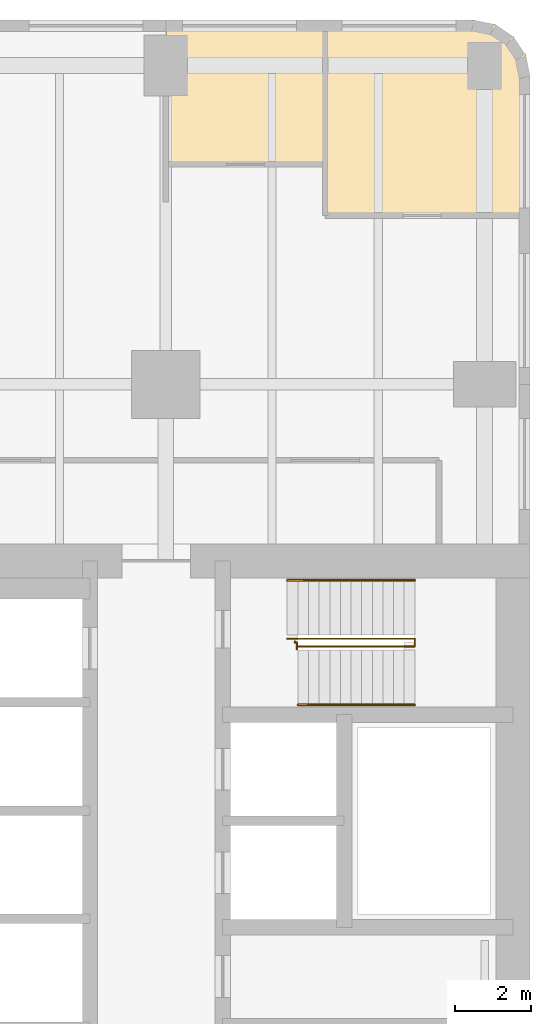
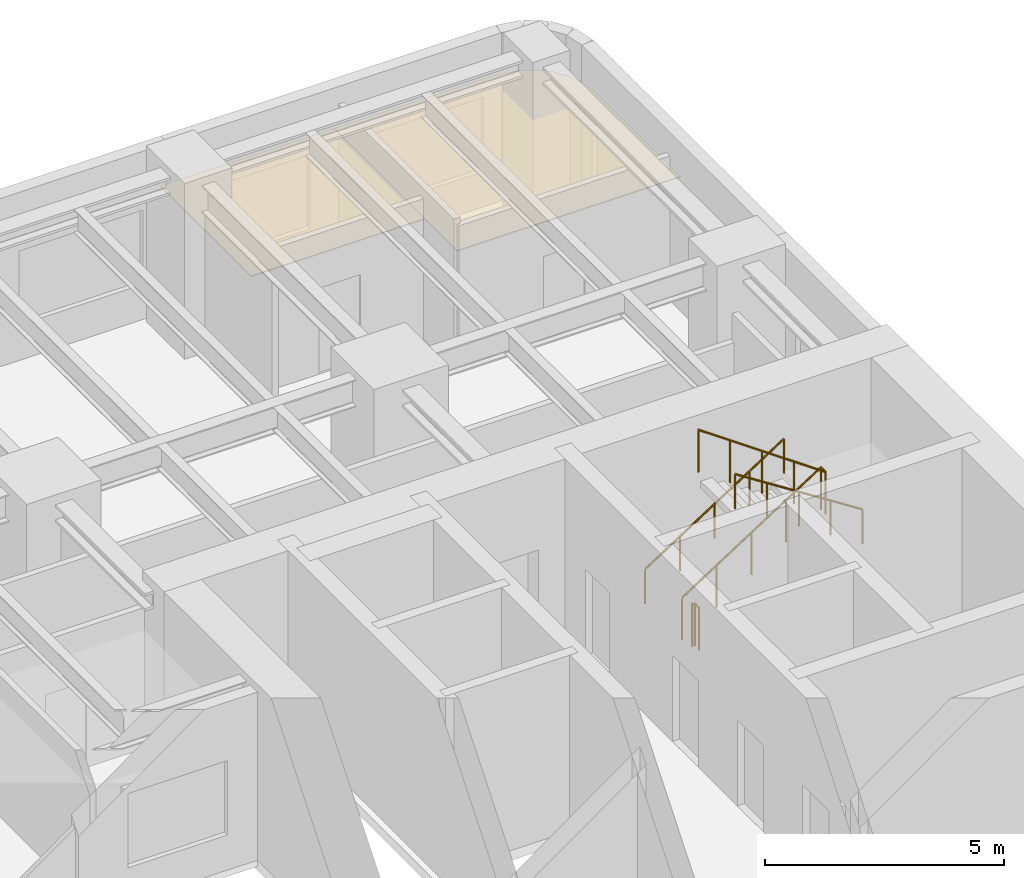
# One storey, part 13 of 13: 4 railings, 2 coverings.
"""IFC4 building model written with IfcOpenShell, lengths in metres."""

from ifc_helpers import new_model, si_unit, direction, frame, origin, origin_2d, place, context, subcontext, project, spatial, polyline, circle, outline, extrude, material, layer, layer_set, type_object, element, save


model = new_model("IFC4")

# Units and contexts
model_context = context("Model", 3, precision=1e-05, world=origin(), true_north=direction((0.0, 1.0)))
body_context = subcontext(model_context, "Body", "Model", "MODEL_VIEW")
ifc_project = project(units=[si_unit("LENGTHUNIT", "METRE"), si_unit("AREAUNIT", "SQUARE_METRE"), si_unit("VOLUMEUNIT", "CUBIC_METRE"), si_unit("PLANEANGLEUNIT", "RADIAN"), si_unit("MASSUNIT", "GRAM", prefix="KILO")], contexts=[model_context])

# Site, building, storey
site_placement = place(None, origin())
site = spatial("IfcSite", under=ifc_project, at=site_placement, CompositionType="ELEMENT")
building_placement = place(site_placement, origin())
building = spatial("IfcBuilding", under=site, at=building_placement, Name="Claustro Exchange Tower", CompositionType="ELEMENT")
storey_placement = place(building_placement, frame((0.0, 0.0, 86.39990234375)))
storey = spatial("IfcBuildingStorey", under=building, at=storey_placement, Name="L19", CompositionType="ELEMENT", Elevation=86.39990234375)

# Coverings
ifc_material_1 = material(Name="Gypsum board ceiling", Category="gypsum board")
ifc_layer = layer(ifc_material_1, 0.02490234375)
ifc_layer_set = layer_set([ifc_layer], Name="Gypsum board ceiling")
covering_type = type_object("IfcCoveringType", Name="CL2 plasterboard ceiling", PredefinedType="CEILING", material=ifc_layer_set)
covering_1_placement = place(storey_placement, frame((0.0, 0.0, 3.0)))
element("IfcCovering", 1, at=covering_1_placement, inside=storey, type_object=covering_type, Name="Ceiling CL2 L19-24", PredefinedType="CEILING", context=body_context, shape_type="SweptSolid", body=[
    extrude(outline(polyline([(50.10009765625, 51.60009765625), (46.199951171875, 51.60009765625), (46.199951171875, 46.449951171875), (51.60009765625, 46.449951171875), (51.60009765625, 50.10009765625), (51.48583984375, 50.674072265625), (51.16064453125, 51.16064453125), (50.674072265625, 51.48583984375), (50.10009765625, 51.60009765625)])), origin(), (0.0, 0.0, 1.0), 0.025146484375),
])
covering_2_placement = place(storey_placement, frame((0.0, 0.0, 3.0)))
element("IfcCovering", 2, at=covering_2_placement, inside=storey, type_object=covering_type, Name="Ceiling CL2 L19-29", PredefinedType="CEILING", context=body_context, shape_type="SweptSolid", body=[
    extrude(outline(polyline([(46.199951171875, 51.60009765625), (42.0, 51.60009765625), (42.0, 47.800048828125), (46.199951171875, 47.800048828125), (46.199951171875, 51.60009765625)])), origin(), (0.0, 0.0, 1.0), 0.025146484375),
])

# Railings
ifc_material_2 = material(Name="Steel balustrade, painted", Category="steel")
railing_type_1 = type_object("IfcRailingType", Name="GR2 1100 steel stair guard", PredefinedType="GUARDRAIL", material=ifc_material_2)
railing_1_placement = place(storey_placement, frame((45.199951171875, 35.300048828125, 0.18017578125)))
element("IfcRailing", 3, at=railing_1_placement, inside=storey, type_object=railing_type_1, Name="Stair well guard GR2 stair STEB L19", PredefinedType="GUARDRAIL", context=body_context, shape_type="SweptSolid", body=[
    extrude(circle(Radius=0.02392578125, at=origin_2d()), frame((0.0, 0.0, 1.076171875), z_axis=(0.84119634759, 0.0, 0.540729789082), x_axis=(0.0, 1.0, 0.0)), (0.0, 0.0, 1.0), 3.994384765625),
    extrude(circle(Radius=0.02392578125, at=origin_2d()), frame((3.360107421875, 0.0, 3.23583984375), z_axis=(0.0, -1.0, 0.0), x_axis=(1.0, 0.0, 0.0)), (0.0, 0.0, 1.0), 0.199951171875),
    extrude(circle(Radius=0.02392578125, at=origin_2d()), frame((3.360107421875, -0.199951171875, 3.23583984375), z_axis=(-0.8187499073, 0.0, 0.574150319426), x_axis=(0.0, -1.0, 0.0)), (0.0, 0.0, 1.0), 3.761962890625),
    extrude(circle(Radius=0.02099609375, at=origin_2d()), origin(), (0.0, 0.0, 1.0), 1.052001953125),
    extrude(circle(Radius=0.02099609375, at=origin_2d()), frame((0.840087890625, 0.0, 0.5400390625)), (0.0, 0.0, 1.0), 1.052001953125),
    extrude(circle(Radius=0.02099609375, at=origin_2d()), frame((1.68017578125, 0.0, 1.080078125)), (0.0, 0.0, 1.0), 1.052001953125),
    extrude(circle(Radius=0.02099609375, at=origin_2d()), frame((2.52001953125, 0.0, 1.619873046875)), (0.0, 0.0, 1.0), 1.052001953125),
    extrude(circle(Radius=0.02099609375, at=origin_2d()), frame((3.360107421875, 0.0, 2.159912109375)), (0.0, 0.0, 1.0), 1.052001953125),
    extrude(circle(Radius=0.02099609375, at=origin_2d()), frame((3.360107421875, -0.199951171875, 2.159912109375)), (0.0, 0.0, 1.0), 1.052001953125),
    extrude(circle(Radius=0.02099609375, at=origin_2d()), frame((2.590087890625, -0.199951171875, 2.699951171875)), (0.0, 0.0, 1.0), 1.052001953125),
    extrude(circle(Radius=0.02099609375, at=origin_2d()), frame((1.820068359375, -0.199951171875, 3.23974609375)), (0.0, 0.0, 1.0), 1.052001953125),
    extrude(circle(Radius=0.02099609375, at=origin_2d()), frame((1.050048828125, -0.199951171875, 3.77978515625)), (0.0, 0.0, 1.0), 1.052001953125),
    extrude(circle(Radius=0.02099609375, at=origin_2d()), frame((0.280029296875, -0.199951171875, 4.31982421875)), (0.0, 0.0, 1.0), 1.052001953125),
])
railing_2_placement = place(storey_placement, frame((45.39990234375, 35.22998046875, 0.0)))
element("IfcRailing", 4, at=railing_2_placement, inside=storey, type_object=railing_type_1, Name="Stair guard GR2 STEB L19", PredefinedType="GUARDRAIL", context=body_context, shape_type="SweptSolid", body=[
    extrude(circle(Radius=0.02392578125, at=origin_2d()), frame((0.0, 0.0, 1.076171875), z_axis=(0.0, -1.0, 0.0), x_axis=(1.0, 0.0, 0.0)), (0.0, 0.0, 1.0), 0.030029296875),
    extrude(circle(Radius=0.02392578125, at=origin_2d()), frame((0.0, -0.030029296875, 1.076171875), z_axis=(1.0, 0.0, 0.0), x_axis=(0.0, 1.0, 0.0)), (0.0, 0.0, 1.0), 0.05517578125),
    extrude(circle(Radius=0.02392578125, at=origin_2d()), frame((0.05517578125, -0.030029296875, 1.076171875), z_axis=(0.0, -1.0, 0.0), x_axis=(1.0, 0.0, 0.0)), (0.0, 0.0, 1.0), 0.179931640625),
    extrude(circle(Radius=0.02099609375, at=origin_2d()), origin(), (0.0, 0.0, 1.0), 1.052001953125),
    extrude(circle(Radius=0.02099609375, at=origin_2d()), frame((0.0, -0.030029296875, 0.0)), (0.0, 0.0, 1.0), 1.052001953125),
    extrude(circle(Radius=0.02099609375, at=origin_2d()), frame((0.05517578125, -0.030029296875, 0.0)), (0.0, 0.0, 1.0), 1.052001953125),
    extrude(circle(Radius=0.02099609375, at=origin_2d()), frame((0.05517578125, -0.2099609375, 0.0)), (0.0, 0.0, 1.0), 1.052001953125),
])
ifc_material_3 = material(Name="Stainless steel tube", Category="steel")
railing_type_2 = type_object("IfcRailingType", Name="HR1 900 stair handrail", PredefinedType="HANDRAIL", material=ifc_material_3)
railing_3_placement = place(storey_placement, frame((45.199951171875, 36.840087890625, 0.18017578125)))
element("IfcRailing", 5, at=railing_3_placement, inside=storey, type_object=railing_type_2, Name="Handrail HR1 stair STEB L19", PredefinedType="HANDRAIL", context=body_context, shape_type="SweptSolid", body=[
    extrude(circle(Radius=0.02392578125, at=origin_2d()), frame((0.0, 0.0, 0.8759765625), z_axis=(0.84119634759, 0.0, 0.540729789082), x_axis=(0.0, 1.0, 0.0)), (0.0, 0.0, 1.0), 3.994384765625),
    extrude(circle(Radius=0.02099609375, at=origin_2d()), origin(), (0.0, 0.0, 1.0), 0.851806640625),
    extrude(circle(Radius=0.02099609375, at=origin_2d()), frame((0.840087890625, 0.0, 0.5400390625)), (0.0, 0.0, 1.0), 0.851806640625),
    extrude(circle(Radius=0.02099609375, at=origin_2d()), frame((1.68017578125, 0.0, 1.080078125)), (0.0, 0.0, 1.0), 0.851806640625),
    extrude(circle(Radius=0.02099609375, at=origin_2d()), frame((2.52001953125, 0.0, 1.619873046875)), (0.0, 0.0, 1.0), 0.851806640625),
    extrude(circle(Radius=0.02099609375, at=origin_2d()), frame((3.360107421875, 0.0, 2.159912109375)), (0.0, 0.0, 1.0), 0.851806640625),
])
railing_4_placement = place(storey_placement, frame((48.56005859375, 33.56005859375, 2.52001953125)))
element("IfcRailing", 6, at=railing_4_placement, inside=storey, type_object=railing_type_2, Name="Handrail HR1 stair STEB L19", PredefinedType="HANDRAIL", context=body_context, shape_type="SweptSolid", body=[
    extrude(circle(Radius=0.02392578125, at=origin_2d()), frame((0.0, 0.0, 0.8759765625), z_axis=(-0.84118714077, 0.0, 0.540744111576), x_axis=(0.0, -1.0, 0.0)), (0.0, 0.0, 1.0), 3.66162109375),
    extrude(circle(Radius=0.02099609375, at=origin_2d()), origin(), (0.0, 0.0, 1.0), 0.851806640625),
    extrude(circle(Radius=0.02099609375, at=origin_2d()), frame((-0.77001953125, 0.0, 0.4951171875)), (0.0, 0.0, 1.0), 0.851806640625),
    extrude(circle(Radius=0.02099609375, at=origin_2d()), frame((-1.5400390625, 0.0, 0.989990234375)), (0.0, 0.0, 1.0), 0.851806640625),
    extrude(circle(Radius=0.02099609375, at=origin_2d()), frame((-2.31005859375, 0.0, 1.48486328125)), (0.0, 0.0, 1.0), 0.851806640625),
    extrude(circle(Radius=0.02099609375, at=origin_2d()), frame((-3.080078125, 0.0, 1.97998046875)), (0.0, 0.0, 1.0), 0.851806640625),
])

save(model, "model.ifc")
